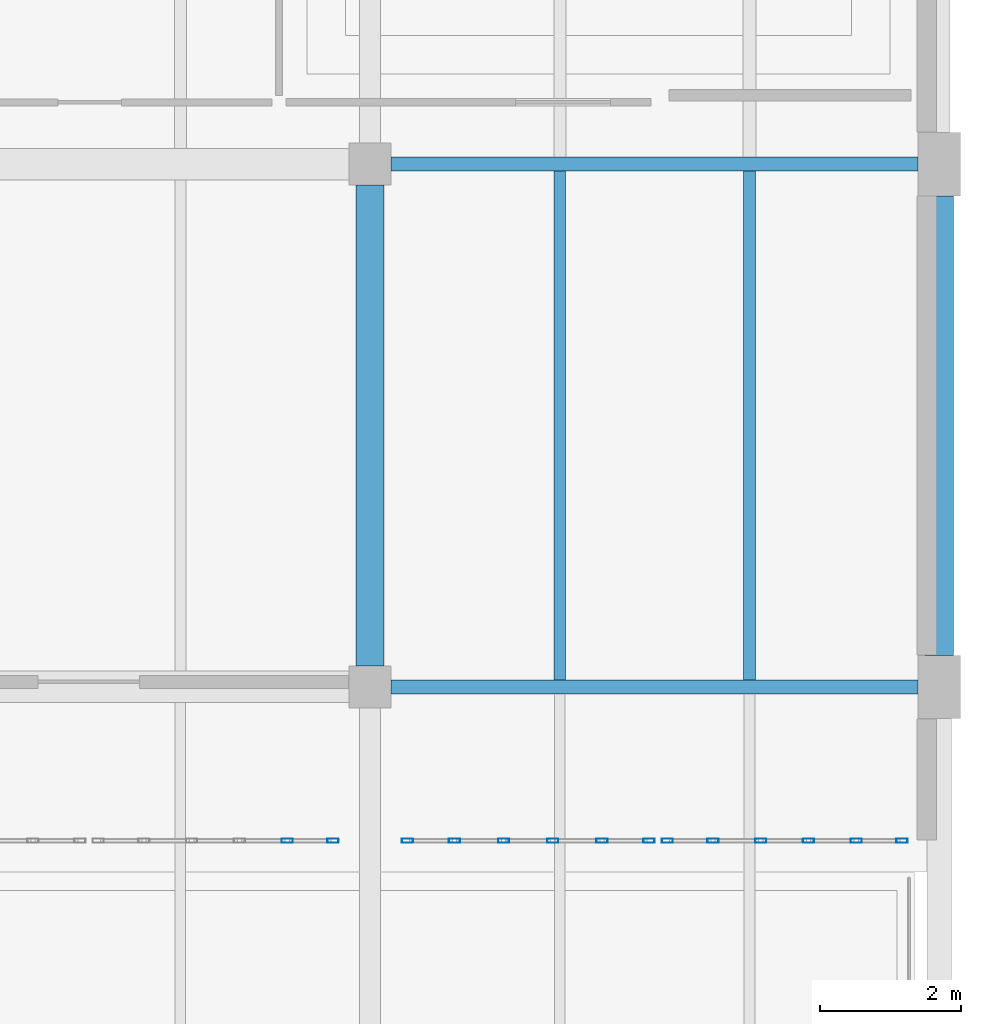
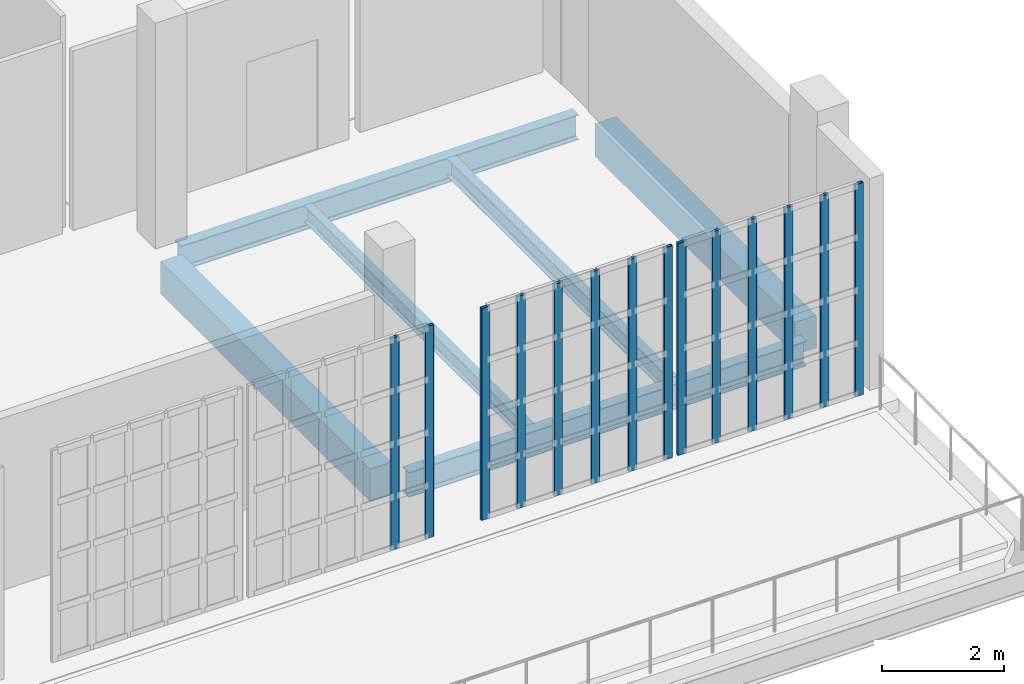
# One storey, part 24 of 56: 14 members, 6 beams, 3 elements without a shape of their own.
"""IFC4 building model written with IfcOpenShell, lengths in metres."""

from ifc_helpers import new_model, si_unit, direction, frame, origin, origin_2d, place, context, subcontext, project, spatial, rectangle, hollow_rectangle, i_section, extrude, material, material_profile, profile_set, type_object, element, aggregate, save


model = new_model("IFC4")

# Units and contexts
model_context = context("Model", 3, precision=1e-05, world=origin(), true_north=direction((0.0, 1.0)))
body_context = subcontext(model_context, "Body", "Model", "MODEL_VIEW")
ifc_project = project(units=[si_unit("LENGTHUNIT", "METRE"), si_unit("AREAUNIT", "SQUARE_METRE"), si_unit("VOLUMEUNIT", "CUBIC_METRE"), si_unit("PLANEANGLEUNIT", "RADIAN"), si_unit("MASSUNIT", "GRAM", prefix="KILO")], contexts=[model_context])

# Site, building, storey
site_placement = place(None, origin())
site = spatial("IfcSite", under=ifc_project, at=site_placement, CompositionType="ELEMENT")
building_placement = place(site_placement, origin())
building = spatial("IfcBuilding", under=site, at=building_placement, Name="Kaelora Sail Theatre", CompositionType="ELEMENT")
storey_placement = place(building_placement, frame((0.0, 0.0, 14.699951171875)))
storey = spatial("IfcBuildingStorey", under=building, at=storey_placement, Name="L03", CompositionType="ELEMENT", Elevation=14.699951171875)

# Curtain wall, members
ifc_material_1 = material(Name="Anodised aluminium and solar-control low-E IGU", Category="aluminium")
curtain_wall_type = type_object("IfcCurtainWallType", Name="ARC-CW-CW-NWG", PredefinedType="NOTDEFINED", material=ifc_material_1)
curtain_wall_1_placement = place(storey_placement, origin())
curtain_wall_1 = element("IfcCurtainWall", 1, at=curtain_wall_1_placement, inside=storey, type_object=curtain_wall_type, Name="Glazed Foyer/Conservatory Curtain Wall NW4-S-L03-05", PredefinedType="NOTDEFINED")
ifc_material_2 = material(Name="Anodised aluminium 6063-T6", Category="aluminium")
ifc_material_profile_1 = material_profile(ifc_material_2, hollow_rectangle(XDim=0.06005859375, YDim=0.159912109375, WallThickness=0.00390625, InnerFilletRadius=0.00390625, OuterFilletRadius=0.008056640625, at=origin_2d()), Name="ALU-MULL 60x160x4")
ifc_profile_set_1 = profile_set([ifc_material_profile_1], Name="Anodised aluminium 6063-T6")
member_type = type_object("IfcMemberType", Name="ARC-MEM-ML-160", PredefinedType="MULLION", material=ifc_profile_set_1)
member_1_placement = place(storey_placement, frame((121.820068359375, 88.590087890625, 0.0), z_axis=(0.0, 0.0, 1.0), x_axis=(0.0, 1.0, 0.0)))
member_1 = element("IfcMember", 2, at=member_1_placement, type_object=member_type, Name="CW-NWG mullion 5", PredefinedType="MULLION", context=body_context, shape_type="SweptSolid", body=[
    extrude(hollow_rectangle(XDim=0.06005859375, YDim=0.159912109375, WallThickness=0.00390625, InnerFilletRadius=0.00390625, OuterFilletRadius=0.008056640625, at=origin_2d()), origin(), (0.0, 0.0, 1.0), 4.22509765625),
])
member_2_placement = place(storey_placement, frame((122.469970703125, 88.590087890625, 0.0), z_axis=(0.0, 0.0, 1.0), x_axis=(0.0, 1.0, 0.0)))
member_2 = element("IfcMember", 3, at=member_2_placement, type_object=member_type, Name="CW-NWG mullion 6", PredefinedType="MULLION", context=body_context, shape_type="SweptSolid", body=[
    extrude(hollow_rectangle(XDim=0.06005859375, YDim=0.159912109375, WallThickness=0.00390625, InnerFilletRadius=0.00390625, OuterFilletRadius=0.008056640625, at=origin_2d()), origin(), (0.0, 0.0, 1.0), 4.22509765625),
])
aggregate(curtain_wall_1, [member_1, member_2])

curtain_wall_2_placement = place(storey_placement, origin())
curtain_wall_2 = element("IfcCurtainWall", 4, at=curtain_wall_2_placement, inside=storey, type_object=curtain_wall_type, Name="Glazed Foyer/Conservatory Curtain Wall NW4-S-L03-06", PredefinedType="NOTDEFINED")
member_3_placement = place(storey_placement, frame((123.530029296875, 88.590087890625, 0.0), z_axis=(0.0, 0.0, 1.0), x_axis=(0.0, 1.0, 0.0)))
member_3 = element("IfcMember", 5, at=member_3_placement, type_object=member_type, Name="CW-NWG mullion 1", PredefinedType="MULLION", context=body_context, shape_type="SweptSolid", body=[
    extrude(hollow_rectangle(XDim=0.06005859375, YDim=0.159912109375, WallThickness=0.00390625, InnerFilletRadius=0.00390625, OuterFilletRadius=0.008056640625, at=origin_2d()), origin(), (0.0, 0.0, 1.0), 4.22509765625),
])
member_4_placement = place(storey_placement, frame((124.199951171875, 88.590087890625, 0.0), z_axis=(0.0, 0.0, 1.0), x_axis=(0.0, 1.0, 0.0)))
member_4 = element("IfcMember", 6, at=member_4_placement, type_object=member_type, Name="CW-NWG mullion 2", PredefinedType="MULLION", context=body_context, shape_type="SweptSolid", body=[
    extrude(hollow_rectangle(XDim=0.06005859375, YDim=0.159912109375, WallThickness=0.00390625, InnerFilletRadius=0.00390625, OuterFilletRadius=0.008056640625, at=origin_2d()), origin(), (0.0, 0.0, 1.0), 4.22509765625),
])
member_5_placement = place(storey_placement, frame((124.89990234375, 88.590087890625, 0.0), z_axis=(0.0, 0.0, 1.0), x_axis=(0.0, 1.0, 0.0)))
member_5 = element("IfcMember", 7, at=member_5_placement, type_object=member_type, Name="CW-NWG mullion 3", PredefinedType="MULLION", context=body_context, shape_type="SweptSolid", body=[
    extrude(hollow_rectangle(XDim=0.06005859375, YDim=0.159912109375, WallThickness=0.00390625, InnerFilletRadius=0.00390625, OuterFilletRadius=0.008056640625, at=origin_2d()), origin(), (0.0, 0.0, 1.0), 4.22509765625),
])
member_6_placement = place(storey_placement, frame((125.60009765625, 88.590087890625, 0.0), z_axis=(0.0, 0.0, 1.0), x_axis=(0.0, 1.0, 0.0)))
member_6 = element("IfcMember", 8, at=member_6_placement, type_object=member_type, Name="CW-NWG mullion 4", PredefinedType="MULLION", context=body_context, shape_type="SweptSolid", body=[
    extrude(hollow_rectangle(XDim=0.06005859375, YDim=0.159912109375, WallThickness=0.00390625, InnerFilletRadius=0.00390625, OuterFilletRadius=0.008056640625, at=origin_2d()), origin(), (0.0, 0.0, 1.0), 4.22509765625),
])
member_7_placement = place(storey_placement, frame((126.300048828125, 88.590087890625, 0.0), z_axis=(0.0, 0.0, 1.0), x_axis=(0.0, 1.0, 0.0)))
member_7 = element("IfcMember", 9, at=member_7_placement, type_object=member_type, Name="CW-NWG mullion 5", PredefinedType="MULLION", context=body_context, shape_type="SweptSolid", body=[
    extrude(hollow_rectangle(XDim=0.06005859375, YDim=0.159912109375, WallThickness=0.00390625, InnerFilletRadius=0.00390625, OuterFilletRadius=0.008056640625, at=origin_2d()), origin(), (0.0, 0.0, 1.0), 4.22509765625),
])
member_8_placement = place(storey_placement, frame((126.969970703125, 88.590087890625, 0.0), z_axis=(0.0, 0.0, 1.0), x_axis=(0.0, 1.0, 0.0)))
member_8 = element("IfcMember", 10, at=member_8_placement, type_object=member_type, Name="CW-NWG mullion 6", PredefinedType="MULLION", context=body_context, shape_type="SweptSolid", body=[
    extrude(hollow_rectangle(XDim=0.06005859375, YDim=0.159912109375, WallThickness=0.00390625, InnerFilletRadius=0.00390625, OuterFilletRadius=0.008056640625, at=origin_2d()), origin(), (0.0, 0.0, 1.0), 4.22509765625),
])
aggregate(curtain_wall_2, [member_3, member_4, member_5, member_6, member_7, member_8])

curtain_wall_3_placement = place(storey_placement, origin())
curtain_wall_3 = element("IfcCurtainWall", 11, at=curtain_wall_3_placement, inside=storey, type_object=curtain_wall_type, Name="Glazed Foyer/Conservatory Curtain Wall NW4-S-L03-07", PredefinedType="NOTDEFINED")
member_9_placement = place(storey_placement, frame((127.22998046875, 88.590087890625, 0.0), z_axis=(0.0, 0.0, 1.0), x_axis=(0.0, 1.0, 0.0)))
member_9 = element("IfcMember", 12, at=member_9_placement, type_object=member_type, Name="CW-NWG mullion 1", PredefinedType="MULLION", context=body_context, shape_type="SweptSolid", body=[
    extrude(hollow_rectangle(XDim=0.06005859375, YDim=0.159912109375, WallThickness=0.00390625, InnerFilletRadius=0.00390625, OuterFilletRadius=0.008056640625, at=origin_2d()), origin(), (0.0, 0.0, 1.0), 4.22509765625),
])
member_10_placement = place(storey_placement, frame((127.8798828125, 88.590087890625, 0.0), z_axis=(0.0, 0.0, 1.0), x_axis=(0.0, 1.0, 0.0)))
member_10 = element("IfcMember", 13, at=member_10_placement, type_object=member_type, Name="CW-NWG mullion 2", PredefinedType="MULLION", context=body_context, shape_type="SweptSolid", body=[
    extrude(hollow_rectangle(XDim=0.06005859375, YDim=0.159912109375, WallThickness=0.00390625, InnerFilletRadius=0.00390625, OuterFilletRadius=0.008056640625, at=origin_2d()), origin(), (0.0, 0.0, 1.0), 4.22509765625),
])
member_11_placement = place(storey_placement, frame((128.56005859375, 88.590087890625, 0.0), z_axis=(0.0, 0.0, 1.0), x_axis=(0.0, 1.0, 0.0)))
member_11 = element("IfcMember", 14, at=member_11_placement, type_object=member_type, Name="CW-NWG mullion 3", PredefinedType="MULLION", context=body_context, shape_type="SweptSolid", body=[
    extrude(hollow_rectangle(XDim=0.06005859375, YDim=0.159912109375, WallThickness=0.00390625, InnerFilletRadius=0.00390625, OuterFilletRadius=0.008056640625, at=origin_2d()), origin(), (0.0, 0.0, 1.0), 4.22509765625),
])
member_12_placement = place(storey_placement, frame((129.239990234375, 88.590087890625, 0.0), z_axis=(0.0, 0.0, 1.0), x_axis=(0.0, 1.0, 0.0)))
member_12 = element("IfcMember", 15, at=member_12_placement, type_object=member_type, Name="CW-NWG mullion 4", PredefinedType="MULLION", context=body_context, shape_type="SweptSolid", body=[
    extrude(hollow_rectangle(XDim=0.06005859375, YDim=0.159912109375, WallThickness=0.00390625, InnerFilletRadius=0.00390625, OuterFilletRadius=0.008056640625, at=origin_2d()), origin(), (0.0, 0.0, 1.0), 4.22509765625),
])
member_13_placement = place(storey_placement, frame((129.919921875, 88.590087890625, 0.0), z_axis=(0.0, 0.0, 1.0), x_axis=(0.0, 1.0, 0.0)))
member_13 = element("IfcMember", 16, at=member_13_placement, type_object=member_type, Name="CW-NWG mullion 5", PredefinedType="MULLION", context=body_context, shape_type="SweptSolid", body=[
    extrude(hollow_rectangle(XDim=0.06005859375, YDim=0.159912109375, WallThickness=0.00390625, InnerFilletRadius=0.00390625, OuterFilletRadius=0.008056640625, at=origin_2d()), origin(), (0.0, 0.0, 1.0), 4.22509765625),
])
member_14_placement = place(storey_placement, frame((130.570068359375, 88.590087890625, 0.0), z_axis=(0.0, 0.0, 1.0), x_axis=(0.0, 1.0, 0.0)))
member_14 = element("IfcMember", 17, at=member_14_placement, type_object=member_type, Name="CW-NWG mullion 6", PredefinedType="MULLION", context=body_context, shape_type="SweptSolid", body=[
    extrude(hollow_rectangle(XDim=0.06005859375, YDim=0.159912109375, WallThickness=0.00390625, InnerFilletRadius=0.00390625, OuterFilletRadius=0.008056640625, at=origin_2d()), origin(), (0.0, 0.0, 1.0), 4.22509765625),
])
aggregate(curtain_wall_3, [member_9, member_10, member_11, member_12, member_13, member_14])

# Beams
ifc_material_3 = material(Name="Steel S355", Category="steel")
ifc_material_profile_2 = material_profile(ifc_material_3, i_section(OverallWidth=0.199951171875, OverallDepth=0.5, WebThickness=0.01025390625, FlangeThickness=0.01611328125, FilletRadius=0.02099609375, at=origin_2d()), Name="IPE 500")
ifc_profile_set_2 = profile_set([ifc_material_profile_2], Name="Steel S355")
beam_type_1 = type_object("IfcBeamType", Name="STR-BM-BM-IPE500", PredefinedType="BEAM", material=ifc_profile_set_2)
for number, where, z_axis, x_axis, name in (
    (18, (123.300048828125, 90.780029296875, -0.52490234375), (1.0, 0.0, 0.0), (0.0, 1.0, 0.0), "Primary beam M 16-17 (L03)"),
    (19, (123.300048828125, 98.219970703125, -0.52490234375), (1.0, 0.0, 0.0), (0.0, 1.0, 0.0), "Primary beam N 16-17 (L03)"),
):
    element("IfcBeam", number, at=place(storey_placement, frame(where, z_axis=z_axis, x_axis=x_axis)), inside=storey, type_object=beam_type_1, Name=name, PredefinedType="BEAM", context=body_context, shape_type="SweptSolid", body=[
        extrude(i_section(OverallWidth=0.199951171875, OverallDepth=0.5, WebThickness=0.01025390625, FlangeThickness=0.01611328125, FilletRadius=0.02099609375, at=origin_2d()), origin(), (0.0, 0.0, 1.0), 7.5),
    ])
ifc_material_4 = material(Name="Concrete C40/50", Category="concrete")
ifc_material_profile_3 = material_profile(ifc_material_4, rectangle(XDim=0.39990234375, YDim=0.64990234375, at=origin_2d()), Name="RC-BM 400x650")
ifc_profile_set_3 = profile_set([ifc_material_profile_3], Name="Concrete C40/50")
beam_type_2 = type_object("IfcBeamType", Name="STR-BM-BM-RC4065", PredefinedType="BEAM", material=ifc_profile_set_3)
beam_1_placement = place(storey_placement, frame((123.0, 91.080078125, -0.599853515625), z_axis=(0.0, 1.0, 0.0), x_axis=(-1.0, 0.0, 0.0)))
element("IfcBeam", 20, at=beam_1_placement, inside=storey, type_object=beam_type_2, Name="Primary beam 16 M-N (L03)", PredefinedType="BEAM", context=body_context, shape_type="SweptSolid", body=[
    extrude(rectangle(XDim=0.39990234375, YDim=0.64990234375, at=origin_2d()), origin(), (0.0, 0.0, 1.0), 6.83984375),
])
beam_2_placement = place(storey_placement, frame((131.10009765625, 91.22998046875, -0.599853515625), z_axis=(0.0, 1.0, 0.0), x_axis=(-1.0, 0.0, 0.0)))
element("IfcBeam", 21, at=beam_2_placement, inside=storey, type_object=beam_type_2, Name="Primary beam 17 M-N (L03)", PredefinedType="BEAM", context=body_context, shape_type="SweptSolid", body=[
    extrude(rectangle(XDim=0.39990234375, YDim=0.64990234375, at=origin_2d()), origin(), (0.0, 0.0, 1.0), 6.5400390625),
])
ifc_material_5 = material(Name="Steel S355", Category="steel")
ifc_material_profile_4 = material_profile(ifc_material_5, i_section(OverallWidth=0.159912109375, OverallDepth=0.330078125, WebThickness=0.007568359375, FlangeThickness=0.011474609375, FilletRadius=0.01806640625, at=origin_2d()), Name="IPE 330")
ifc_profile_set_4 = profile_set([ifc_material_profile_4], Name="Steel S355")
beam_type_3 = type_object("IfcBeamType", Name="STR-BM-JS-IPE330", PredefinedType="JOIST", material=ifc_profile_set_4)
beam_3_placement = place(storey_placement, frame((125.699951171875, 90.8798828125, -0.43994140625), z_axis=(0.0, 1.0, 0.0), x_axis=(-1.0, 0.0, 0.0)))
element("IfcBeam", 22, at=beam_3_placement, inside=storey, type_object=beam_type_3, Name="Secondary floor joist 16/M-1 (L03)", PredefinedType="JOIST", context=body_context, shape_type="SweptSolid", body=[
    extrude(i_section(OverallWidth=0.159912109375, OverallDepth=0.330078125, WebThickness=0.007568359375, FlangeThickness=0.011474609375, FilletRadius=0.01806640625, at=origin_2d()), origin(), (0.0, 0.0, 1.0), 7.240234375),
])
ifc_material_6 = material(Name="Steel S355", Category="steel")
ifc_material_profile_5 = material_profile(ifc_material_6, i_section(OverallWidth=0.169921875, OverallDepth=0.360107421875, WebThickness=0.008056640625, FlangeThickness=0.0126953125, FilletRadius=0.01806640625, at=origin_2d()), Name="IPE 360")
ifc_profile_set_5 = profile_set([ifc_material_profile_5], Name="Steel S355")
beam_type_4 = type_object("IfcBeamType", Name="STR-BM-JS-IPE360", PredefinedType="JOIST", material=ifc_profile_set_5)
beam_4_placement = place(storey_placement, frame((128.39990234375, 90.8798828125, -0.454833984375), z_axis=(0.0, 1.0, 0.0), x_axis=(-1.0, 0.0, 0.0)))
element("IfcBeam", 23, at=beam_4_placement, inside=storey, type_object=beam_type_4, Name="Secondary floor joist 16/M-2 (L03)", PredefinedType="JOIST", context=body_context, shape_type="SweptSolid", body=[
    extrude(i_section(OverallWidth=0.169921875, OverallDepth=0.360107421875, WebThickness=0.008056640625, FlangeThickness=0.0126953125, FilletRadius=0.01806640625, at=origin_2d()), origin(), (0.0, 0.0, 1.0), 7.240234375),
])

save(model, "model.ifc")
